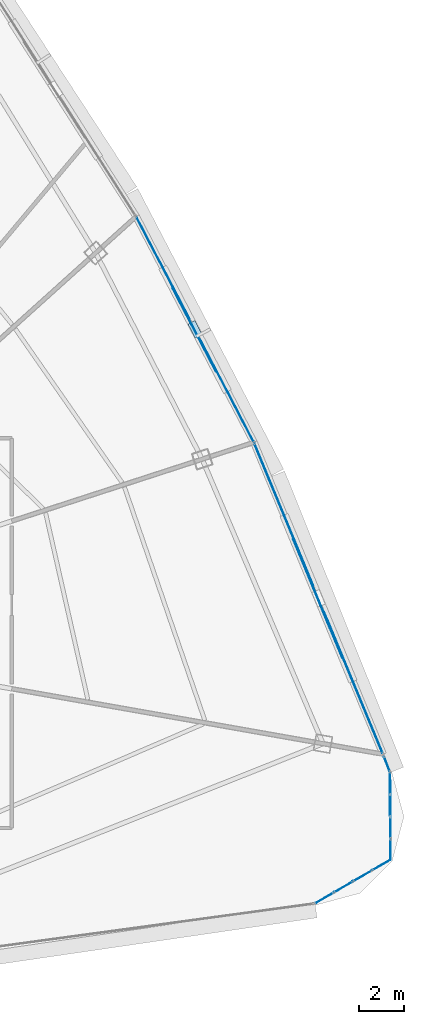
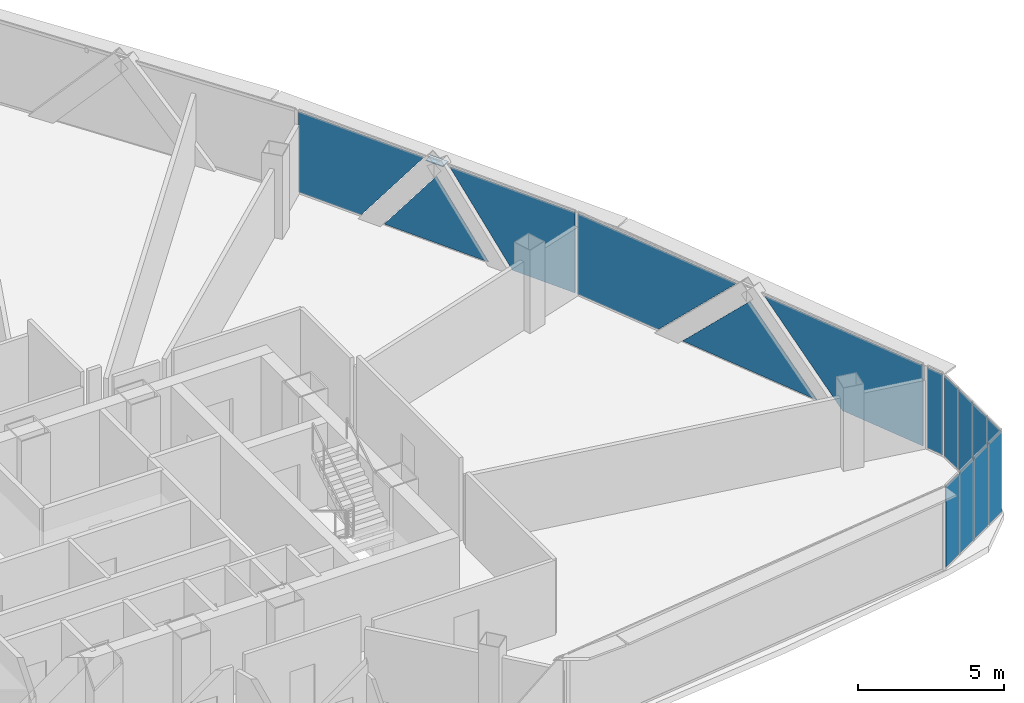
# One storey, part 32 of 40: 16 plates, 5 elements without a shape of their own.
"""IFC4 building model written with IfcOpenShell, lengths in metres."""

import ifcopenshell
import ifcopenshell.guid

model = None  # the IFC model being written
_history = None  # IfcOwnerHistory: only IFC2X3 demands one
_inside = {}  # id of a spatial element -> (the spatial element, [elements in it])
_under = {}  # id of a project, library or spatial element -> (it, [spatial elements below it])
_declared = {}  # id of a project -> (the project, [libraries it declares])
_typed = {}  # id of a type object -> (the type object, [elements of that type])
_made_of = {}  # id of a material, layer set ... -> (it, [elements and type objects made of it])


def new_model(schema):
    """Start an empty IFC model of exactly this schema.

    Asked for "IFC4X3", IfcOpenShell would pick the latest addendum, in which some entities
    have other attributes; the version numbers below select the first issue.
    IFC2X3 requires an IfcOwnerHistory on every rooted entity: one is made here for all.
    """
    global model, _history
    if schema == "IFC4X3":
        model = ifcopenshell.file(schema_version=(4, 3, 0, 0))
    else:
        model = ifcopenshell.file(schema=schema)
    _inside.clear()
    _under.clear()
    _declared.clear()
    _typed.clear()
    _made_of.clear()
    _history = None
    if model.schema == "IFC2X3":
        org = make("IfcOrganization", Name="unknown")
        user = make(
            "IfcPersonAndOrganization",
            ThePerson=make("IfcPerson", FamilyName="unknown"),
            TheOrganization=org,
        )
        app = make(
            "IfcApplication",
            ApplicationDeveloper=org,
            Version="unknown",
            ApplicationFullName="unknown",
            ApplicationIdentifier="unknown",
        )
        _history = make(
            "IfcOwnerHistory",
            OwningUser=user,
            OwningApplication=app,
            ChangeAction="ADDED",
            CreationDate=0,
        )
    return model


def make(cls, **values):
    """One entity of the class cls with the attributes given. An attribute that is None is left unset."""
    return model.create_entity(
        cls, **{name: value for name, value in values.items() if value is not None}
    )


def rooted(cls, **values):
    """An entity with a GlobalId (a new one), such as an element, a storey or a relation."""
    return make(cls, GlobalId=ifcopenshell.guid.new(), OwnerHistory=_history, **values)


def si_unit(unit_type, name, prefix=None):
    """IfcSIUnit, for example si_unit("LENGTHUNIT", "METRE", prefix="MILLI")."""
    return make("IfcSIUnit", UnitType=unit_type, Prefix=prefix, Name=name)


def assignment(units):
    """IfcUnitAssignment: the units of a project."""
    return None if units is None else make("IfcUnitAssignment", Units=units)


def point(xyz):
    """IfcCartesianPoint."""
    return None if xyz is None else make("IfcCartesianPoint", Coordinates=xyz)


def direction(xyz):
    """IfcDirection."""
    return None if xyz is None else make("IfcDirection", DirectionRatios=xyz)


def frame(location, z_axis=None, x_axis=None):
    """IfcAxis2Placement3D, a coordinate frame: its origin and axes. An axis left out is left unset."""
    return make(
        "IfcAxis2Placement3D",
        Location=point(location),
        Axis=direction(z_axis),
        RefDirection=direction(x_axis),
    )


def frame_2d(location, x_axis=None):
    """IfcAxis2Placement2D, a coordinate frame in the plane: its origin and x axis."""
    return make(
        "IfcAxis2Placement2D", Location=point(location), RefDirection=direction(x_axis)
    )


def origin():
    """The frame at (0, 0, 0) with its axes left unset."""
    return frame((0.0, 0.0, 0.0))


def origin_2d():
    """The frame at (0, 0) in the plane with its x axis left unset."""
    return frame_2d((0.0, 0.0))


def place(relative_to, where):
    """IfcLocalPlacement: puts the frame where relative to a parent placement (None: the world)."""
    return make(
        "IfcLocalPlacement", PlacementRelTo=relative_to, RelativePlacement=where
    )


def context(
    kind, dimensions, precision=None, world=None, true_north=None, identifier=None
):
    """IfcGeometricRepresentationContext, for example the 3D "Model" context."""
    return make(
        "IfcGeometricRepresentationContext",
        ContextIdentifier=identifier,
        ContextType=kind,
        CoordinateSpaceDimension=dimensions,
        Precision=precision,
        WorldCoordinateSystem=world,
        TrueNorth=true_north,
    )


def subcontext(parent, identifier, kind, view, scale=None):
    """IfcGeometricRepresentationSubContext, for example "Body" below "Model"."""
    return make(
        "IfcGeometricRepresentationSubContext",
        ContextIdentifier=identifier,
        ContextType=kind,
        ParentContext=parent,
        TargetScale=scale,
        TargetView=view,
    )


def project(units=None, contexts=None):
    """IfcProject with its units and contexts."""
    return rooted(
        "IfcProject",
        Name="project",
        RepresentationContexts=contexts,
        UnitsInContext=assignment(units),
    )


def spatial(cls, under=None, at=None, **own):
    """A site, building, storey or space (cls), placed at a placement, below another one or the project."""
    s = rooted(cls, ObjectPlacement=at, **own)
    if under is not None:
        _under.setdefault(under.id(), (under, []))[1].append(s)
    return s


def polyline(points):
    """IfcPolyline through the points."""
    return make("IfcPolyline", Points=[point(p) for p in points])


def profile(cls, at=None, kind="AREA", **sizes):
    """A parametric profile (cls). Its sizes go by their IFC names, for example OverallWidth=200.0."""
    return make(cls, ProfileType=kind, Position=at, **sizes)


def rectangle(**sizes):
    """IfcRectangleProfileDef."""
    return profile("IfcRectangleProfileDef", **sizes)


def outline(outer, holes=None, kind="AREA"):
    """IfcArbitraryClosedProfileDef: a profile drawn as a closed curve; with holes, ...WithVoids."""
    if holes is None:
        return make("IfcArbitraryClosedProfileDef", ProfileType=kind, OuterCurve=outer)
    return make(
        "IfcArbitraryProfileDefWithVoids",
        ProfileType=kind,
        OuterCurve=outer,
        InnerCurves=holes,
    )


def extrude(swept, where, along, depth):
    """IfcExtrudedAreaSolid: the profile swept, set in the frame where, extruded along a direction by depth."""
    return make(
        "IfcExtrudedAreaSolid",
        SweptArea=swept,
        Position=where,
        ExtrudedDirection=direction(along),
        Depth=depth,
    )


def shape(context_of_items, identifier, shape_type, items):
    """IfcShapeRepresentation: the items that make up one representation, for example the "Body"."""
    return make(
        "IfcShapeRepresentation",
        ContextOfItems=context_of_items,
        RepresentationIdentifier=identifier,
        RepresentationType=shape_type,
        Items=items,
    )


def source(mapping_origin, context_of_items, identifier, shape_type, items):
    """IfcRepresentationMap: a shape defined once, which mapped items show again and again."""
    return make(
        "IfcRepresentationMap",
        MappingOrigin=mapping_origin,
        MappedRepresentation=shape(context_of_items, identifier, shape_type, items),
    )


def transform(
    local_origin,
    x_axis=None,
    y_axis=None,
    z_axis=None,
    scale=None,
    scale2=None,
    scale3=None,
    uniform=True,
):
    """IfcCartesianTransformationOperator3D, or its non-uniform kind. x_axis, y_axis, z_axis: its Axis1, 2, 3."""
    if uniform:
        return make(
            "IfcCartesianTransformationOperator3D",
            Axis1=direction(x_axis),
            Axis2=direction(y_axis),
            LocalOrigin=point(local_origin),
            Scale=scale,
            Axis3=direction(z_axis),
        )
    return make(
        "IfcCartesianTransformationOperator3DnonUniform",
        Axis1=direction(x_axis),
        Axis2=direction(y_axis),
        LocalOrigin=point(local_origin),
        Scale=scale,
        Axis3=direction(z_axis),
        Scale2=scale2,
        Scale3=scale3,
    )


def mapped(mapping_source, mapping_target):
    """IfcMappedItem: shows the shape of a source again, moved by a transform."""
    return make(
        "IfcMappedItem", MappingSource=mapping_source, MappingTarget=mapping_target
    )


def material(Name=None, Category=None):
    """IfcMaterial."""
    return make("IfcMaterial", Name=Name, Category=Category)


def layer(
    of_material, thickness, ventilated=None, Name=None, Category=None, Priority=None
):
    """IfcMaterialLayer: one layer of a wall or slab, of a material (None: an air gap)."""
    return make(
        "IfcMaterialLayer",
        Material=of_material,
        LayerThickness=thickness,
        IsVentilated=ventilated,
        Name=Name,
        Category=Category,
        Priority=Priority,
    )


def layer_set(layers, Name=None):
    """IfcMaterialLayerSet."""
    return make("IfcMaterialLayerSet", MaterialLayers=layers, LayerSetName=Name)


def made_of(thing, what):
    """Note that an element or type object is made of a material, layer set ...; save() writes the relation."""
    if what is not None:
        _made_of.setdefault(what.id(), (what, []))[1].append(thing)
    return thing


def type_object(cls, material=None, **own):
    """A type object (cls), such as IfcWallType, which elements share."""
    return made_of(rooted(cls, **own), material)


def element(
    cls,
    number,
    at=None,
    inside=None,
    cuts=None,
    type_object=None,
    material=None,
    context=None,
    identifier="Body",
    shape_type=None,
    held_by="IfcProductDefinitionShape",
    body=None,
    shapes=None,
    **own,
):
    """One element of the class cls, such as IfcWall. Its Tag is "e" and its number.

    at: its placement. inside: the storey or other place that contains it. cuts: it is an
    opening in that element (IfcRelVoidsElement). A single representation is given by context,
    identifier, shape_type and body (its items); several are given by shapes. held_by: the class
    of the entity that holds the representations. save() writes the other relations.
    """
    e = rooted(cls, Tag="e%d" % number, ObjectPlacement=at, **own)
    if body is not None:
        shapes = [shape(context, identifier, shape_type, body)]
    if shapes is not None:
        e.Representation = make(held_by, Representations=shapes)
    if inside is not None:
        _inside.setdefault(inside.id(), (inside, []))[1].append(e)
    if cuts is not None:
        rooted(
            "IfcRelVoidsElement", RelatingBuildingElement=cuts, RelatedOpeningElement=e
        )
    if type_object is not None:
        _typed.setdefault(type_object.id(), (type_object, []))[1].append(e)
    return made_of(e, material)


def aggregate(whole, parts):
    """IfcRelAggregates: a whole, such as a stair, and the parts it consists of."""
    return rooted("IfcRelAggregates", RelatingObject=whole, RelatedObjects=parts)


def save(model, path):
    """Write the relations noted so far, then the file.

    IfcRelAggregates (storeys below a building ...), IfcRelContainedInSpatialStructure (elements
    in a storey), IfcRelDefinesByType, IfcRelAssociatesMaterial and IfcRelDeclares: one each for
    every whole, place, type object, material and project.
    """
    for whole, parts in _under.values():
        aggregate(whole, parts)
    for where, things in _inside.values():
        rooted(
            "IfcRelContainedInSpatialStructure",
            RelatedElements=things,
            RelatingStructure=where,
        )
    for kind, things in _typed.values():
        rooted("IfcRelDefinesByType", RelatedObjects=things, RelatingType=kind)
    for what, things in _made_of.values():
        rooted("IfcRelAssociatesMaterial", RelatedObjects=things, RelatingMaterial=what)
    for by, libraries in _declared.values():
        rooted("IfcRelDeclares", RelatingContext=by, RelatedDefinitions=libraries)
    model.write(path)


model = new_model("IFC4")

# Units and contexts
model_context = context("Model", 3, precision=1e-05, world=origin(), true_north=direction((0.0, 1.0)))
body_context = subcontext(model_context, "Body", "Model", "MODEL_VIEW")
ifc_project = project(units=[si_unit("LENGTHUNIT", "METRE"), si_unit("AREAUNIT", "SQUARE_METRE"), si_unit("VOLUMEUNIT", "CUBIC_METRE"), si_unit("PLANEANGLEUNIT", "RADIAN"), si_unit("MASSUNIT", "GRAM", prefix="KILO"), si_unit("THERMODYNAMICTEMPERATUREUNIT", "KELVIN"), si_unit("POWERUNIT", "WATT")], contexts=[model_context])

# Site, building, storey
site_placement = place(None, origin())
site = spatial("IfcSite", under=ifc_project, at=site_placement, CompositionType="ELEMENT")
building_placement = place(site_placement, origin())
building = spatial("IfcBuilding", under=site, at=building_placement, Name="Yunzhuo Pagoda Commons", CompositionType="ELEMENT")
storey_placement = place(building_placement, frame((0.0, 0.0, 292.47998046875)))
storey = spatial("IfcBuildingStorey", under=building, at=storey_placement, Name="L73", CompositionType="ELEMENT", Elevation=292.47998046875)

# Curtain wall, plates
ifc_material_1 = material(Name="Anodized aluminium 6063-T6", Category="aluminium")
ifc_layer_1 = layer(ifc_material_1, 0.139892578125)
ifc_layer_set_1 = layer_set([ifc_layer_1], Name="Anodized aluminium 6063-T6")
curtain_wall_type_1 = type_object("IfcCurtainWallType", Name="CW-HI High-Zone Ribbon Curtain Wall", PredefinedType="NOTDEFINED", material=ifc_layer_set_1)
curtain_wall_1_placement = place(storey_placement, origin())
curtain_wall_1 = element("IfcCurtainWall", 1, at=curtain_wall_1_placement, inside=storey, type_object=curtain_wall_type_1, Name="L73 curtain wall CW-L73-F2B2", PredefinedType="NOTDEFINED")
ifc_material_2 = material(Name="Tempered low-e double glazing", Category="glass")
ifc_layer_2 = layer(ifc_material_2, 0.02587890625)
ifc_layer_set_2 = layer_set([ifc_layer_2], Name="Tempered low-e double glazing")
plate_type_1 = type_object("IfcPlateType", Name="CW-HI-P Low-E Double Glazing 26", PredefinedType="CURTAIN_PANEL", material=ifc_layer_set_2)
plate_1_placement = place(storey_placement, frame((77.98779296875, 31.384033203125, 1.735107421875), z_axis=(0.923899046183, 0.382636318796, 0.0), x_axis=(-0.382636318796, 0.923899046183, 0.0)))
plate_1 = element("IfcPlate", 2, at=plate_1_placement, type_object=plate_type_1, Name="CW panel 1.1 lite 1", PredefinedType="CURTAIN_PANEL", context=body_context, shape_type="SweptSolid", body=[
    extrude(outline(polyline([(-3.418701171875, -1.679931640625), (0.044677734375, -1.679931640625), (3.418701171875, 1.679931640625), (-3.418701171875, 1.679931640625), (-3.418701171875, -1.679931640625)])), origin(), (0.0, 0.0, 1.0), 0.028076171875),
])
plate_2_placement = place(storey_placement, frame((76.4248046875, 35.079833984375, 1.494384765625), z_axis=(0.923899046183, 0.382636318796, 0.0), x_axis=(-0.382636318796, 0.923899046183, 0.0)))
plate_2 = element("IfcPlate", 3, at=plate_2_placement, type_object=plate_type_1, Name="CW panel 1.1 lite 2", PredefinedType="CURTAIN_PANEL", context=body_context, shape_type="SweptSolid", body=[
    extrude(outline(polyline([(-2.890625, -1.439208984375), (2.890625, -1.439208984375), (0.0, 1.439208984375), (-2.890625, -1.439208984375)])), origin(), (0.0, 0.0, 1.0), 0.028076171875),
])
plate_3_placement = place(storey_placement, frame((74.917236328125, 38.79833984375, 1.735107421875), z_axis=(0.923899046183, 0.382636318796, 0.0), x_axis=(-0.382636318796, 0.923899046183, 0.0)))
plate_3 = element("IfcPlate", 4, at=plate_3_placement, type_object=plate_type_1, Name="CW panel 1.1 lite 3", PredefinedType="CURTAIN_PANEL", context=body_context, shape_type="SweptSolid", body=[
    extrude(outline(polyline([(-3.418701171875, 1.679931640625), (-0.044677734375, -1.679931640625), (3.418701171875, -1.679931640625), (3.418701171875, 1.679931640625), (-3.418701171875, 1.679931640625)])), origin(), (0.0, 0.0, 1.0), 0.028076171875),
])
aggregate(curtain_wall_1, [plate_1, plate_2, plate_3])

curtain_wall_2_placement = place(storey_placement, origin())
curtain_wall_2 = element("IfcCurtainWall", 5, at=curtain_wall_2_placement, inside=storey, type_object=curtain_wall_type_1, Name="L73 curtain wall CW-L73-F2B3", PredefinedType="NOTDEFINED")
plate_4_placement = place(storey_placement, frame((72.385986328125, 44.314208984375, 1.735107421875), z_axis=(0.886761092291, 0.462228044582, 0.0), x_axis=(-0.462228044582, 0.886761092291, 0.0)))
plate_4 = element("IfcPlate", 6, at=plate_4_placement, type_object=plate_type_1, Name="CW panel 1.1 lite 1", PredefinedType="CURTAIN_PANEL", context=body_context, shape_type="SweptSolid", body=[
    extrude(outline(polyline([(-2.537353515625, -1.679931640625), (-0.0087890625, -1.679931640625), (2.537353515625, 1.679931640625), (-2.537353515625, 1.679931640625), (-2.537353515625, -1.679931640625)])), origin(), (0.0, 0.0, 1.0), 0.028076171875),
])
plate_5_placement = place(storey_placement, frame((70.94677734375, 47.01025390625, 1.447998046875), z_axis=(0.886761092291, 0.462228044582, 0.0), x_axis=(-0.462228044582, 0.886761092291, 0.0)))
plate_5 = element("IfcPlate", 7, at=plate_5_placement, type_object=plate_type_1, Name="CW panel 1.1 lite 2", PredefinedType="CURTAIN_PANEL", context=body_context, shape_type="SweptSolid", body=[
    extrude(outline(polyline([(-2.111083984375, -1.392822265625), (2.111083984375, -1.392822265625), (0.0, 1.392822265625), (-2.111083984375, -1.392822265625)])), origin(), (0.0, 0.0, 1.0), 0.028076171875),
])
plate_6_placement = place(storey_placement, frame((69.56103515625, 49.73388671875, 1.735107421875), z_axis=(0.886761092291, 0.462228044582, 0.0), x_axis=(-0.462228044582, 0.886761092291, 0.0)))
plate_6 = element("IfcPlate", 8, at=plate_6_placement, type_object=plate_type_1, Name="CW panel 1.1 lite 3", PredefinedType="CURTAIN_PANEL", context=body_context, shape_type="SweptSolid", body=[
    extrude(outline(polyline([(-2.537353515625, 1.679931640625), (0.0087890625, -1.679931640625), (2.537353515625, -1.679931640625), (2.537353515625, 1.679931640625), (-2.537353515625, 1.679931640625)])), origin(), (0.0, 0.0, 1.0), 0.028076171875),
])
aggregate(curtain_wall_2, [plate_4, plate_5, plate_6])

# Plate
ifc_material_3 = material(Name="Structural steel Q355B", Category="steel")
ifc_layer_3 = layer(ifc_material_3, 0.028076171875)
ifc_layer_set_3 = layer_set([ifc_layer_3], Name="Structural steel Q355B")
plate_type_2 = type_object("IfcPlateType", Name="SP-ND1 Lattice Node Cap Plate 800x500x28", PredefinedType="USERDEFINED", material=ifc_layer_set_3)
shared_shape_1 = source(origin(), body_context, "Body", "SweptSolid", [
    extrude(rectangle(XDim=0.699951171875, YDim=0.35009765625, at=origin_2d()), origin(), (0.0, 0.0, 1.0), 0.035888671875),
])
plate_7_placement = place(storey_placement, frame((70.98583984375, 47.03076171875, 3.43212890625), z_axis=(0.0, 0.0, 1.0), x_axis=(-0.462228464672, 0.886760873318, 0.0)))
element("IfcPlate", 9, at=plate_7_placement, inside=storey, type_object=plate_type_2, Name="L73 setback lattice tie plate F2.2L", ObjectType="STIFFENER_PLATE", PredefinedType="USERDEFINED", context=body_context, shape_type="MappedRepresentation", body=[
    mapped(shared_shape_1, transform((0.0, 0.0, 0.0), scale=1.0)),
])

# Curtain wall, plate
curtain_wall_3_placement = place(storey_placement, origin())
curtain_wall_3 = element("IfcCurtainWall", 10, at=curtain_wall_3_placement, inside=storey, type_object=curtain_wall_type_1, Name="L73 curtain wall CW-L73-F2B1", PredefinedType="NOTDEFINED")
shared_shape_2 = source(origin(), body_context, "Body", "SweptSolid", [
    extrude(rectangle(XDim=0.6689453125, YDim=0.028076171875, at=origin_2d()), origin(), (0.0, 0.0, 1.0), 3.360107421875),
])
plate_8_placement = place(storey_placement, frame((79.501953125, 27.73779296875, 0.05517578125), z_axis=(0.0, 0.0, 1.0), x_axis=(-0.36265423017, 0.931923767987, 0.0)))
plate_8 = element("IfcPlate", 11, at=plate_8_placement, type_object=plate_type_1, Name="CW panel 1.1", PredefinedType="CURTAIN_PANEL", context=body_context, shape_type="MappedRepresentation", body=[
    mapped(shared_shape_2, transform((0.0, 0.0, 0.0), scale=1.0)),
])
aggregate(curtain_wall_3, [plate_8])

# Curtain wall, plates
ifc_layer_4 = layer(ifc_material_1, 0.1298828125)
ifc_layer_set_4 = layer_set([ifc_layer_4], Name="Anodized aluminium 6063-T6")
curtain_wall_type_2 = type_object("IfcCurtainWallType", Name="CW-VTX Rounded Corner Curtain Wall", PredefinedType="NOTDEFINED", material=ifc_layer_set_4)
curtain_wall_4_placement = place(storey_placement, origin())
curtain_wall_4 = element("IfcCurtainWall", 12, at=curtain_wall_4_placement, inside=storey, type_object=curtain_wall_type_2, Name="L73 curtain wall CW-L73-VTX2S1", PredefinedType="NOTDEFINED")
ifc_layer_5 = layer(ifc_material_2, 0.02587890625)
ifc_layer_set_5 = layer_set([ifc_layer_5], Name="Tempered low-e double glazing")
plate_type_3 = type_object("IfcPlateType", Name="CW-VTX-P Low-E Double Glazing 26", PredefinedType="CURTAIN_PANEL", material=ifc_layer_set_5)
shared_shape_3 = source(origin(), body_context, "Body", "SweptSolid", [
    extrude(rectangle(XDim=0.8994140625, YDim=0.028076171875, at=origin_2d()), origin(), (0.0, 0.0, 1.0), 3.360107421875),
])
plate_9_placement = place(storey_placement, frame((76.73681640625, 21.79736328125, 0.05517578125), z_axis=(0.0, 0.0, 1.0), x_axis=(0.86543732532, 0.501017201245, 0.0)))
plate_9 = element("IfcPlate", 13, at=plate_9_placement, type_object=plate_type_3, Name="CW panel 1.1", PredefinedType="CURTAIN_PANEL", context=body_context, shape_type="MappedRepresentation", body=[
    mapped(shared_shape_3, transform((0.0, 0.0, 0.0), scale=1.0)),
])
plate_10_placement = place(storey_placement, frame((79.26220703125, 23.25927734375, 0.05517578125), z_axis=(0.0, 0.0, 1.0), x_axis=(0.86543732532, 0.501017201245, 0.0)))
plate_10 = element("IfcPlate", 14, at=plate_10_placement, type_object=plate_type_3, Name="CW panel 4.1", PredefinedType="CURTAIN_PANEL", context=body_context, shape_type="MappedRepresentation", body=[
    mapped(shared_shape_3, transform((0.0, 0.0, 0.0), scale=1.0)),
])

curtain_wall_5_placement = place(storey_placement, origin())
curtain_wall_5 = element("IfcCurtainWall", 15, at=curtain_wall_5_placement, inside=storey, type_object=curtain_wall_type_2, Name="L73 curtain wall CW-L73-VTX2S2", PredefinedType="NOTDEFINED")
plate_11_placement = place(storey_placement, frame((79.657470703125, 23.947509765625, 0.05517578125), z_axis=(0.0, 0.0, 1.0), x_axis=(-0.003589955472, 0.999993556089, 0.0)))
plate_11 = element("IfcPlate", 16, at=plate_11_placement, type_object=plate_type_3, Name="CW panel 1.1", PredefinedType="CURTAIN_PANEL", context=body_context, shape_type="MappedRepresentation", body=[
    mapped(shared_shape_3, transform((0.0, 0.0, 0.0), scale=1.0)),
])
plate_12_placement = place(storey_placement, frame((79.64697265625, 26.865478515625, 0.05517578125), z_axis=(0.0, 0.0, 1.0), x_axis=(-0.003589955472, 0.999993556089, 0.0)))
plate_12 = element("IfcPlate", 17, at=plate_12_placement, type_object=plate_type_3, Name="CW panel 4.1", PredefinedType="CURTAIN_PANEL", context=body_context, shape_type="MappedRepresentation", body=[
    mapped(shared_shape_3, transform((0.0, 0.0, 0.0), scale=1.0)),
])

# Plate
shared_shape_4 = source(origin(), body_context, "Body", "SweptSolid", [
    extrude(rectangle(XDim=0.927001953125, YDim=0.028076171875, at=origin_2d()), origin(), (0.0, 0.0, 1.0), 3.360107421875),
])
plate_13_placement = place(storey_placement, frame((77.57470703125, 22.2822265625, 0.05517578125), z_axis=(0.0, 0.0, 1.0), x_axis=(0.86543732532, 0.501017201245, 0.0)))
plate_13 = element("IfcPlate", 18, at=plate_13_placement, type_object=plate_type_3, Name="CW panel 2.1", PredefinedType="CURTAIN_PANEL", context=body_context, shape_type="MappedRepresentation", body=[
    mapped(shared_shape_4, transform((0.0, 0.0, 0.0), scale=1.0)),
])

plate_14_placement = place(storey_placement, frame((78.42431640625, 22.774169921875, 0.05517578125), z_axis=(0.0, 0.0, 1.0), x_axis=(0.86543732532, 0.501017201245, 0.0)))
plate_14 = element("IfcPlate", 19, at=plate_14_placement, type_object=plate_type_3, Name="CW panel 3.1", PredefinedType="CURTAIN_PANEL", context=body_context, shape_type="MappedRepresentation", body=[
    mapped(shared_shape_4, transform((0.0, 0.0, 0.0), scale=1.0)),
])

aggregate(curtain_wall_4, [plate_9, plate_13, plate_14, plate_10])

plate_15_placement = place(storey_placement, frame((79.65380859375, 24.91552734375, 0.05517578125), z_axis=(0.0, 0.0, 1.0), x_axis=(-0.003589955472, 0.999993556089, 0.0)))
plate_15 = element("IfcPlate", 20, at=plate_15_placement, type_object=plate_type_3, Name="CW panel 2.1", PredefinedType="CURTAIN_PANEL", context=body_context, shape_type="MappedRepresentation", body=[
    mapped(shared_shape_4, transform((0.0, 0.0, 0.0), scale=1.0)),
])

plate_16_placement = place(storey_placement, frame((79.650390625, 25.8974609375, 0.05517578125), z_axis=(0.0, 0.0, 1.0), x_axis=(-0.003589955472, 0.999993556089, 0.0)))
plate_16 = element("IfcPlate", 21, at=plate_16_placement, type_object=plate_type_3, Name="CW panel 3.1", PredefinedType="CURTAIN_PANEL", context=body_context, shape_type="MappedRepresentation", body=[
    mapped(shared_shape_4, transform((0.0, 0.0, 0.0), scale=1.0)),
])

aggregate(curtain_wall_5, [plate_11, plate_15, plate_16, plate_12])

save(model, "model.ifc")
